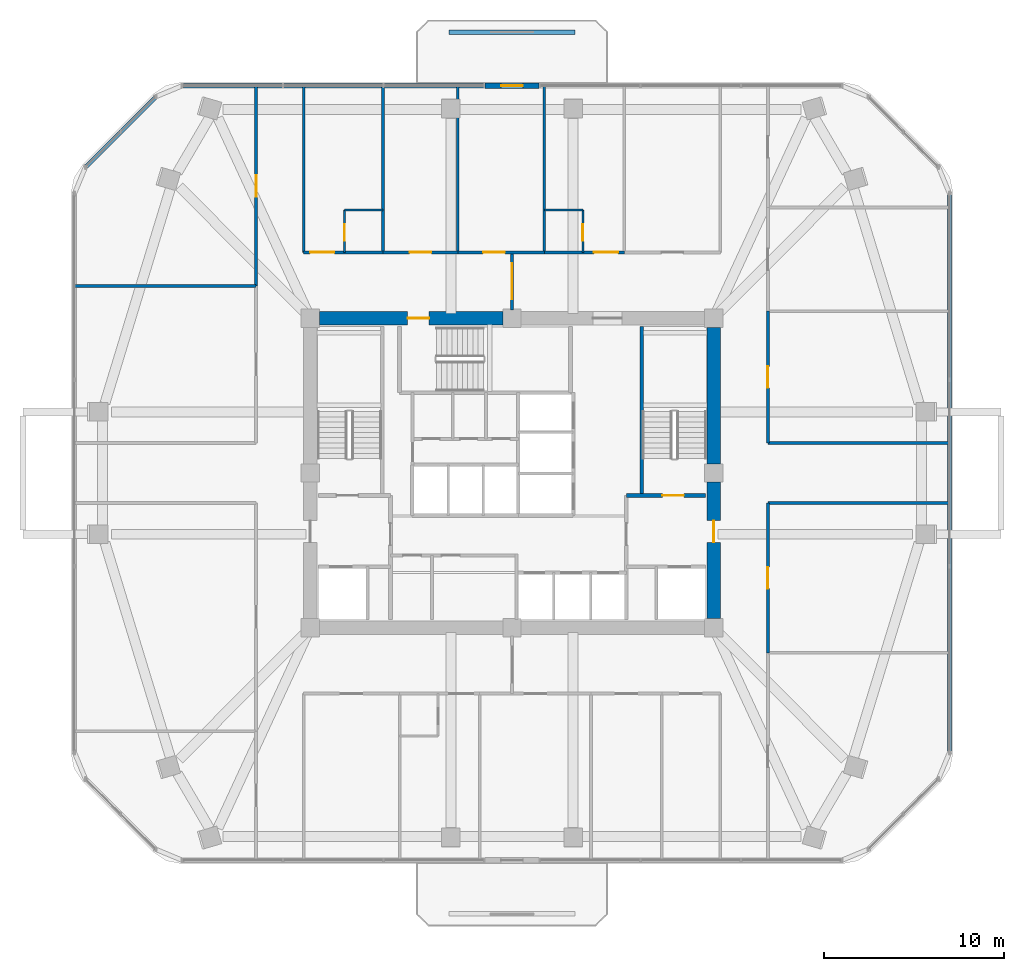
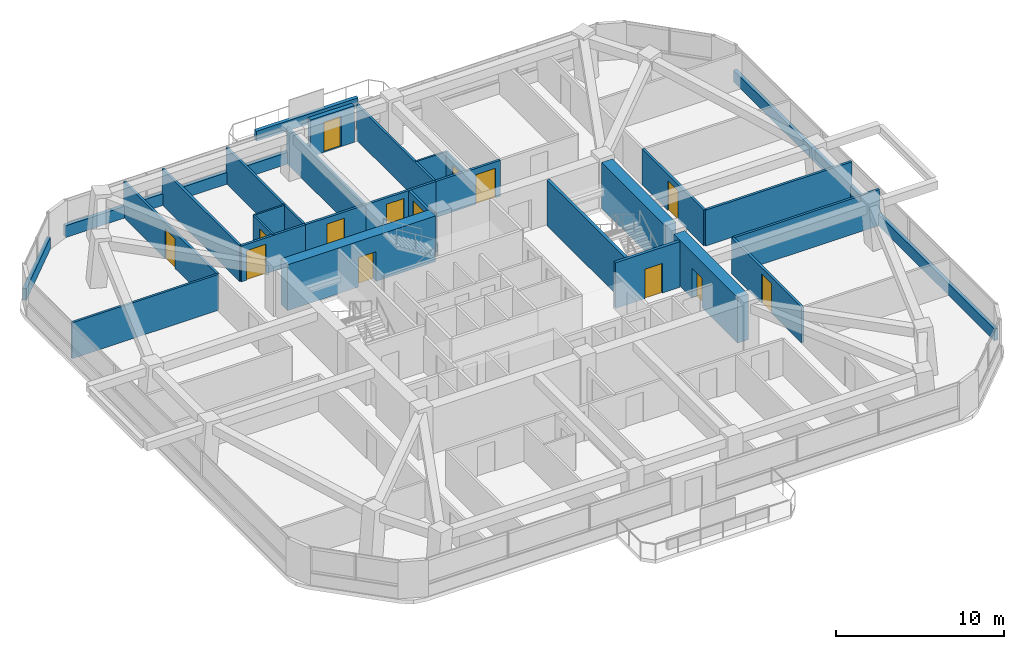
# One storey, part 10 of 13: 29 walls, 14 doors, 14 openings.
"""IFC4 building model written with IfcOpenShell, lengths in metres."""

from ifc_helpers import new_model, si_unit, derived_unit, direction, frame, frame_2d, origin, place, context, subcontext, project, spatial, rectangle, extrude, material, layer, layer_set, type_object, element, fill, save


model = new_model("IFC4")

# Units and contexts
model_context = context("Model", 3, precision=1e-05, world=origin(), true_north=direction((0.0, 1.0)))
body_context = subcontext(model_context, "Body", "Model", "MODEL_VIEW")
ifc_project = project(units=[si_unit("LENGTHUNIT", "METRE"), si_unit("AREAUNIT", "SQUARE_METRE"), si_unit("VOLUMEUNIT", "CUBIC_METRE"), si_unit("PLANEANGLEUNIT", "RADIAN"), si_unit("MASSUNIT", "GRAM", prefix="KILO"), derived_unit("THERMALTRANSMITTANCEUNIT", [(si_unit("POWERUNIT", "WATT"), 1), (si_unit("LENGTHUNIT", "METRE"), -2), (si_unit("THERMODYNAMICTEMPERATUREUNIT", "KELVIN"), -1)])], contexts=[model_context])

# Site, building, storey
site_placement = place(None, origin())
site = spatial("IfcSite", under=ifc_project, at=site_placement, CompositionType="ELEMENT")
building_placement = place(site_placement, origin())
building = spatial("IfcBuilding", under=site, at=building_placement, Name="Koralith Skygarden Medical Center", CompositionType="ELEMENT")
storey_placement = place(building_placement, frame((0.0, 0.0, 117.179931640625)))
storey = spatial("IfcBuildingStorey", under=building, at=storey_placement, Name="L30", CompositionType="ELEMENT", Elevation=117.179931640625)

# Walls
ifc_material_1 = material(Name="Gypsum Board Partition")
ifc_layer_1 = layer(ifc_material_1, 0.14990234375)
ifc_layer_set_1 = layer_set([ifc_layer_1], Name="Gypsum Board Partition")
wall_type_1 = type_object("IfcWallType", Name="Clinical Acoustic Partition 150", PredefinedType="PARTITIONING", material=ifc_layer_set_1)
for number, where, z_axis, x_axis, name in (
    (1, (29.8330078125, 38.159912109375, 0.0), (0.0, 0.0, 1.0), (0.0, 1.0, 0.0), "L30 Clinical Acoustic Partition 150 W-PART-L30-N-01"),
    (2, (33.993896484375, 38.159912109375, 0.0), (0.0, 0.0, 1.0), (0.0, 1.0, 0.0), "L30 Clinical Acoustic Partition 150 W-PART-L30-N-02"),
    (3, (38.800048828125, 38.159912109375, 0.0), (0.0, 0.0, 1.0), (0.0, 1.0, 0.0), "L30 Clinical Acoustic Partition 150 W-PART-L30-N-03"),
):
    element("IfcWall", number, at=place(storey_placement, frame(where, z_axis=z_axis, x_axis=x_axis)), inside=storey, type_object=wall_type_1, Name=name, PredefinedType="PARTITIONING", context=body_context, shape_type="SweptSolid", body=[
        extrude(rectangle(XDim=9.232177734375, YDim=0.14990234375, at=frame_2d((4.6162109375, 0.0))), origin(), (0.0, 0.0, 1.0), 2.610107421875),
    ])
wall_1_placement = place(storey_placement, frame((22.7900390625, 36.285888671875, 0.0), z_axis=(0.0, 0.0, 1.0), x_axis=(-1.0, 0.0, 0.0)))
element("IfcWall", 4, at=wall_1_placement, inside=storey, type_object=wall_type_1, Name="L30 Clinical Acoustic Partition 150 W-PART-L30-WN-01", PredefinedType="PARTITIONING", context=body_context, shape_type="SweptSolid", body=[
    extrude(rectangle(XDim=10.072021484375, YDim=0.14990234375, at=frame_2d((5.0361328125, 0.0))), origin(), (0.0, 0.0, 1.0), 2.610107421875),
])
ifc_layer_2 = layer(ifc_material_1, 0.1650390625)
ifc_layer_set_2 = layer_set([ifc_layer_2], Name="Gypsum Board Partition")
wall_type_2 = type_object("IfcWallType", Name="Clinical Corridor Partition 165", PredefinedType="PARTITIONING", material=ifc_layer_set_2)
wall_2_placement = place(storey_placement, frame((25.429931640625, 38.159912109375, 0.0), z_axis=(0.0, 0.0, 1.0), x_axis=(0.0, 1.0, 0.0)))
element("IfcWall", 5, at=wall_2_placement, inside=storey, type_object=wall_type_2, Name="L30 Clinical Corridor Partition 165 W-HCOR-L30-NW", PredefinedType="PARTITIONING", context=body_context, shape_type="SweptSolid", body=[
    extrude(rectangle(XDim=9.232177734375, YDim=0.1650390625, at=frame_2d((4.6162109375, 0.0))), origin(), (0.0, 0.0, 1.0), 2.610107421875),
])
for number, where, z_axis, x_axis, name in (
    (6, (51.2099609375, 24.239990234375, 0.0), (0.0, 0.0, 1.0), (1.0, 0.0, 0.0), "L30 Clinical Corridor Partition 165 W-HCOR-L30-EWS-E"),
    (7, (51.2099609375, 27.56005859375, 0.0), (0.0, 0.0, 1.0), (1.0, 0.0, 0.0), "L30 Clinical Corridor Partition 165 W-HCOR-L30-EWN-E"),
):
    element("IfcWall", number, at=place(storey_placement, frame(where, z_axis=z_axis, x_axis=x_axis)), inside=storey, type_object=wall_type_2, Name=name, PredefinedType="PARTITIONING", context=body_context, shape_type="SweptSolid", body=[
        extrude(rectangle(XDim=10.072021484375, YDim=0.1650390625, at=frame_2d((5.0361328125, 0.0))), origin(), (0.0, 0.0, 1.0), 2.610107421875),
    ])

# Wall, opening, door
wall_3_placement = place(storey_placement, frame((25.429931640625, 38.159912109375, 0.0), z_axis=(0.0, 0.0, 1.0), x_axis=(1.0, 0.0, 0.0)))
wall_3 = element("IfcWall", 8, at=wall_3_placement, inside=storey, type_object=wall_type_2, Name="L30 Clinical Corridor Partition 165 W-CORR-L30-N-01", PredefinedType="PARTITIONING", context=body_context, shape_type="SweptSolid", body=[
    extrude(rectangle(XDim=4.403076171875, YDim=0.1650390625, at=frame_2d((2.20166015625, 0.0))), origin(), (0.0, 0.0, 1.0), 2.610107421875),
])
opening_1_placement = place(wall_3_placement, frame((0.35009765625, 0.0, 0.0)))
opening_1 = element("IfcOpeningElement", 9, at=opening_1_placement, cuts=wall_3, Name="Opening D-BED", PredefinedType="OPENING", context=body_context, shape_type="SweptSolid", body=[
    extrude(rectangle(XDim=1.35009765625, YDim=2.14990234375, at=frame_2d((0.675048828125, 1.074951171875))), frame((0.0, 0.092529296875, 0.0), z_axis=(0.0, -1.0, 0.0), x_axis=(1.0, 0.0, 0.0)), (0.0, 0.0, 1.0), 0.18505859375),
])
ifc_material_2 = material(Name="Aluminium 6063-T6", Category="aluminium")
door_type_1 = type_object("IfcDoorType", Name="Inpatient Bed Leaf Door D-BED 1350", OperationType="NOTDEFINED", PredefinedType="DOOR", material=ifc_material_2)
door_1_placement = place(opening_1_placement, origin())
door_1 = element("IfcDoor", 10, at=door_1_placement, inside=storey, type_object=door_type_1, Name="L30 Inpatient Bedroom 01 Door", OperationType="SINGLE_SWING_RIGHT", OverallHeight=2.14990234375, OverallWidth=1.35009765625, PredefinedType="DOOR", context=body_context, shape_type="SweptSolid", body=[
    extrude(rectangle(XDim=1.35009765625, YDim=2.14990234375, at=frame_2d((0.675048828125, 1.074951171875))), frame((0.0, 0.02490234375, 0.0), z_axis=(0.0, -1.0, 0.0), x_axis=(1.0, 0.0, 0.0)), (0.0, 0.0, 1.0), 0.050048828125),
])
fill(opening_1, door_1)

wall_4_placement = place(storey_placement, frame((29.8330078125, 38.159912109375, 0.0), z_axis=(0.0, 0.0, 1.0), x_axis=(1.0, 0.0, 0.0)))
wall_4 = element("IfcWall", 11, at=wall_4_placement, inside=storey, type_object=wall_type_2, Name="L30 Clinical Corridor Partition 165 W-CORR-L30-N-02", PredefinedType="PARTITIONING", context=body_context, shape_type="SweptSolid", body=[
    extrude(rectangle(XDim=4.160888671875, YDim=0.1650390625, at=frame_2d((2.08056640625, 0.0))), origin(), (0.0, 0.0, 1.0), 2.610107421875),
])
opening_2_placement = place(wall_4_placement, frame((1.48095703125, 0.0, 0.0)))
opening_2 = element("IfcOpeningElement", 12, at=opening_2_placement, cuts=wall_4, Name="Opening D-CLN", PredefinedType="OPENING", context=body_context, shape_type="SweptSolid", body=[
    extrude(rectangle(XDim=1.199951171875, YDim=2.14990234375, at=frame_2d((0.60009765625, 1.074951171875))), frame((0.0, 0.092529296875, 0.0), z_axis=(0.0, -1.0, 0.0), x_axis=(1.0, 0.0, 0.0)), (0.0, 0.0, 1.0), 0.18505859375),
])
door_type_2 = type_object("IfcDoorType", Name="Clinical Corridor Door D-CLN 1200", OperationType="NOTDEFINED", PredefinedType="DOOR", material=ifc_material_2)
door_2_placement = place(opening_2_placement, origin())
door_2 = element("IfcDoor", 13, at=door_2_placement, inside=storey, type_object=door_type_2, Name="L30 Cardiopulmonary Rehab Gym Hall 02 Door", OperationType="SINGLE_SWING_LEFT", OverallHeight=2.14990234375, OverallWidth=1.199951171875, PredefinedType="DOOR", context=body_context, shape_type="SweptSolid", body=[
    extrude(rectangle(XDim=1.199951171875, YDim=2.14990234375, at=frame_2d((0.60009765625, 1.074951171875))), frame((0.0, 0.02490234375, 0.0), z_axis=(0.0, -1.0, 0.0), x_axis=(1.0, 0.0, 0.0)), (0.0, 0.0, 1.0), 0.050048828125),
])
fill(opening_2, door_2)

wall_5_placement = place(storey_placement, frame((33.993896484375, 38.159912109375, 0.0), z_axis=(0.0, 0.0, 1.0), x_axis=(1.0, 0.0, 0.0)))
wall_5 = element("IfcWall", 14, at=wall_5_placement, inside=storey, type_object=wall_type_2, Name="L30 Clinical Corridor Partition 165 W-CORR-L30-N-03", PredefinedType="PARTITIONING", context=body_context, shape_type="SweptSolid", body=[
    extrude(rectangle(XDim=4.80615234375, YDim=0.1650390625, at=frame_2d((2.403076171875, 0.0))), origin(), (0.0, 0.0, 1.0), 2.610107421875),
])
opening_3_placement = place(wall_5_placement, frame((1.404052734375, 0.0, 0.0)))
opening_3 = element("IfcOpeningElement", 15, at=opening_3_placement, cuts=wall_5, Name="Opening D-CLN", PredefinedType="OPENING", context=body_context, shape_type="SweptSolid", body=[
    extrude(rectangle(XDim=1.199951171875, YDim=2.14990234375, at=frame_2d((0.60009765625, 1.074951171875))), frame((0.0, 0.092529296875, 0.0), z_axis=(0.0, -1.0, 0.0), x_axis=(1.0, 0.0, 0.0)), (0.0, 0.0, 1.0), 0.18505859375),
])
door_3_placement = place(opening_3_placement, origin())
door_3 = element("IfcDoor", 16, at=door_3_placement, inside=storey, type_object=door_type_2, Name="L30 Patient and Family Sky-Garden Day Lounge 03 Door", OperationType="SINGLE_SWING_RIGHT", OverallHeight=2.14990234375, OverallWidth=1.199951171875, PredefinedType="DOOR", context=body_context, shape_type="SweptSolid", body=[
    extrude(rectangle(XDim=1.199951171875, YDim=2.14990234375, at=frame_2d((0.60009765625, 1.074951171875))), frame((0.0, 0.02490234375, 0.0), z_axis=(0.0, -1.0, 0.0), x_axis=(1.0, 0.0, 0.0)), (0.0, 0.0, 1.0), 0.050048828125),
])
fill(opening_3, door_3)

wall_6_placement = place(storey_placement, frame((38.800048828125, 38.159912109375, 0.0), z_axis=(0.0, 0.0, 1.0), x_axis=(1.0, 0.0, 0.0)))
wall_6 = element("IfcWall", 17, at=wall_6_placement, inside=storey, type_object=wall_type_2, Name="L30 Clinical Corridor Partition 165 W-CORR-L30-N-04", PredefinedType="PARTITIONING", context=body_context, shape_type="SweptSolid", body=[
    extrude(rectangle(XDim=4.44189453125, YDim=0.1650390625, at=frame_2d((2.220947265625, 0.0))), origin(), (0.0, 0.0, 1.0), 2.610107421875),
])
opening_4_placement = place(wall_6_placement, frame((2.751953125, 0.0, 0.0)))
opening_4 = element("IfcOpeningElement", 18, at=opening_4_placement, cuts=wall_6, Name="Opening D-BED", PredefinedType="OPENING", context=body_context, shape_type="SweptSolid", body=[
    extrude(rectangle(XDim=1.35009765625, YDim=2.14990234375, at=frame_2d((0.675048828125, 1.074951171875))), frame((0.0, 0.092529296875, 0.0), z_axis=(0.0, -1.0, 0.0), x_axis=(1.0, 0.0, 0.0)), (0.0, 0.0, 1.0), 0.18505859375),
])
door_4_placement = place(opening_4_placement, origin())
door_4 = element("IfcDoor", 19, at=door_4_placement, inside=storey, type_object=door_type_1, Name="L30 Inpatient Bedroom 04 Door", OperationType="SINGLE_SWING_LEFT", OverallHeight=2.14990234375, OverallWidth=1.35009765625, PredefinedType="DOOR", context=body_context, shape_type="SweptSolid", body=[
    extrude(rectangle(XDim=1.35009765625, YDim=2.14990234375, at=frame_2d((0.675048828125, 1.074951171875))), frame((0.0, 0.02490234375, 0.0), z_axis=(0.0, -1.0, 0.0), x_axis=(1.0, 0.0, 0.0)), (0.0, 0.0, 1.0), 0.050048828125),
])
fill(opening_4, door_4)

wall_7_placement = place(storey_placement, frame((22.7900390625, 36.285888671875, 0.0), z_axis=(0.0, 0.0, 1.0), x_axis=(0.0, 1.0, 0.0)))
wall_7 = element("IfcWall", 20, at=wall_7_placement, inside=storey, type_object=wall_type_2, Name="L30 Clinical Corridor Partition 165 W-CORR-L30-WN-02", PredefinedType="PARTITIONING", context=body_context, shape_type="SweptSolid", body=[
    extrude(rectangle(XDim=11.106201171875, YDim=0.1650390625, at=frame_2d((5.55322265625, 0.0))), origin(), (0.0, 0.0, 1.0), 2.610107421875),
])
opening_5_placement = place(wall_7_placement, frame((4.952880859375, 0.0, 0.0)))
opening_5 = element("IfcOpeningElement", 21, at=opening_5_placement, cuts=wall_7, Name="Opening D-CLN", PredefinedType="OPENING", context=body_context, shape_type="SweptSolid", body=[
    extrude(rectangle(XDim=1.199951171875, YDim=2.14990234375, at=frame_2d((0.60009765625, 1.074951171875))), frame((0.0, 0.092529296875, 0.0), z_axis=(0.0, -1.0, 0.0), x_axis=(1.0, 0.0, 0.0)), (0.0, 0.0, 1.0), 0.18505859375),
])
door_5_placement = place(opening_5_placement, frame((1.199951171875, 0.0, 0.0), z_axis=(0.0, 0.0, 1.0), x_axis=(-1.0, 0.0, 0.0)))
door_5 = element("IfcDoor", 22, at=door_5_placement, inside=storey, type_object=door_type_2, Name="L30 Cardiopulmonary Rehab Gym Hall 14 Door", OperationType="SINGLE_SWING_LEFT", OverallHeight=2.14990234375, OverallWidth=1.199951171875, PredefinedType="DOOR", context=body_context, shape_type="SweptSolid", body=[
    extrude(rectangle(XDim=1.199951171875, YDim=2.14990234375, at=frame_2d((0.60009765625, 1.074951171875))), frame((0.0, 0.02490234375, 0.0), z_axis=(0.0, -1.0, 0.0), x_axis=(1.0, 0.0, 0.0)), (0.0, 0.0, 1.0), 0.050048828125),
])
fill(opening_5, door_5)

wall_8_placement = place(storey_placement, frame((51.2099609375, 15.910888671875, 0.0), z_axis=(0.0, 0.0, 1.0), x_axis=(0.0, 1.0, 0.0)))
wall_8 = element("IfcWall", 23, at=wall_8_placement, inside=storey, type_object=wall_type_2, Name="L30 Clinical Corridor Partition 165 W-CORR-L30-ES-02", PredefinedType="PARTITIONING", context=body_context, shape_type="SweptSolid", body=[
    extrude(rectangle(XDim=8.3291015625, YDim=0.1650390625, at=frame_2d((4.16455078125, 0.0))), origin(), (0.0, 0.0, 1.0), 2.610107421875),
])
opening_6_placement = place(wall_8_placement, frame((3.56396484375, 0.0, 0.0)))
opening_6 = element("IfcOpeningElement", 24, at=opening_6_placement, cuts=wall_8, Name="Opening D-CLN", PredefinedType="OPENING", context=body_context, shape_type="SweptSolid", body=[
    extrude(rectangle(XDim=1.199951171875, YDim=2.14990234375, at=frame_2d((0.60009765625, 1.074951171875))), frame((0.0, 0.092529296875, 0.0), z_axis=(0.0, -1.0, 0.0), x_axis=(1.0, 0.0, 0.0)), (0.0, 0.0, 1.0), 0.18505859375),
])
door_6_placement = place(opening_6_placement, origin())
door_6 = element("IfcDoor", 25, at=door_6_placement, inside=storey, type_object=door_type_2, Name="L30 Exercise Physiologist Office 16 Door", OperationType="SINGLE_SWING_LEFT", OverallHeight=2.14990234375, OverallWidth=1.199951171875, PredefinedType="DOOR", context=body_context, shape_type="SweptSolid", body=[
    extrude(rectangle(XDim=1.199951171875, YDim=2.14990234375, at=frame_2d((0.60009765625, 1.074951171875))), frame((0.0, 0.02490234375, 0.0), z_axis=(0.0, -1.0, 0.0), x_axis=(1.0, 0.0, 0.0)), (0.0, 0.0, 1.0), 0.050048828125),
])
fill(opening_6, door_6)

wall_9_placement = place(storey_placement, frame((51.2099609375, 27.56005859375, 0.0), z_axis=(0.0, 0.0, 1.0), x_axis=(0.0, 1.0, 0.0)))
wall_9 = element("IfcWall", 26, at=wall_9_placement, inside=storey, type_object=wall_type_2, Name="L30 Clinical Corridor Partition 165 W-CORR-L30-EN-01", PredefinedType="PARTITIONING", context=body_context, shape_type="SweptSolid", body=[
    extrude(rectangle(XDim=7.329833984375, YDim=0.1650390625, at=frame_2d((3.6650390625, 0.0))), origin(), (0.0, 0.0, 1.0), 2.610107421875),
])
opening_7_placement = place(wall_9_placement, frame((3.06494140625, 0.0, 0.0)))
opening_7 = element("IfcOpeningElement", 27, at=opening_7_placement, cuts=wall_9, Name="Opening D-CLN", PredefinedType="OPENING", context=body_context, shape_type="SweptSolid", body=[
    extrude(rectangle(XDim=1.199951171875, YDim=2.14990234375, at=frame_2d((0.60009765625, 1.074951171875))), frame((0.0, 0.092529296875, 0.0), z_axis=(0.0, -1.0, 0.0), x_axis=(1.0, 0.0, 0.0)), (0.0, 0.0, 1.0), 0.18505859375),
])
door_7_placement = place(opening_7_placement, origin())
door_7 = element("IfcDoor", 28, at=door_7_placement, inside=storey, type_object=door_type_2, Name="L30 Clinical Consultation Office 17 Door", OperationType="SINGLE_SWING_RIGHT", OverallHeight=2.14990234375, OverallWidth=1.199951171875, PredefinedType="DOOR", context=body_context, shape_type="SweptSolid", body=[
    extrude(rectangle(XDim=1.199951171875, YDim=2.14990234375, at=frame_2d((0.60009765625, 1.074951171875))), frame((0.0, 0.02490234375, 0.0), z_axis=(0.0, -1.0, 0.0), x_axis=(1.0, 0.0, 0.0)), (0.0, 0.0, 1.0), 0.050048828125),
])
fill(opening_7, door_7)

ifc_layer_3 = layer(ifc_material_1, 0.179931640625)
ifc_layer_set_3 = layer_set([ifc_layer_3], Name="Gypsum Board Partition")
wall_type_3 = type_object("IfcWallType", Name="Group I-2 Smoke Barrier Wall 180", PredefinedType="PARTITIONING", material=ifc_layer_set_3)
wall_10_placement = place(storey_placement, frame((37.0, 34.949951171875, 0.0), z_axis=(0.0, 0.0, 1.0), x_axis=(0.0, 1.0, 0.0)))
wall_10 = element("IfcWall", 29, at=wall_10_placement, inside=storey, type_object=wall_type_3, Name="L30 Group I-2 Smoke Barrier Wall 180 W-SMK-L30-N", PredefinedType="PARTITIONING", context=body_context, shape_type="SweptSolid", body=[
    extrude(rectangle(XDim=3.2099609375, YDim=0.179931640625, at=frame_2d((1.60498046875, 0.0))), origin(), (0.0, 0.0, 1.0), 2.610107421875),
])
opening_8_placement = place(wall_10_placement, frame((0.60498046875, 0.0, 0.0)))
opening_8 = element("IfcOpeningElement", 30, at=opening_8_placement, cuts=wall_10, Name="Opening D-SMK", PredefinedType="OPENING", context=body_context, shape_type="SweptSolid", body=[
    extrude(rectangle(XDim=2.0, YDim=2.199951171875, at=frame_2d((1.0, 1.10009765625))), frame((0.0, 0.099853515625, 0.0), z_axis=(0.0, -1.0, 0.0), x_axis=(1.0, 0.0, 0.0)), (0.0, 0.0, 1.0), 0.199951171875),
])
ifc_material_3 = material(Name="Steel ASTM A500 Grade C", Category="steel")
door_type_3 = type_object("IfcDoorType", Name="Cross-Corridor Double Smoke Door FD60S 2000", OperationType="NOTDEFINED", PredefinedType="DOOR", material=ifc_material_3)
door_8_placement = place(opening_8_placement, origin())
door_8 = element("IfcDoor", 31, at=door_8_placement, inside=storey, type_object=door_type_3, Name="L30 N Smoke Compartment Cross-Corridor Door", OperationType="DOUBLE_DOOR_SINGLE_SWING", OverallHeight=2.199951171875, OverallWidth=2.0, PredefinedType="DOOR", context=body_context, shape_type="SweptSolid", body=[
    extrude(rectangle(XDim=2.0, YDim=2.199951171875, at=frame_2d((1.0, 1.10009765625))), frame((0.0, 0.02490234375, 0.0), z_axis=(0.0, -1.0, 0.0), x_axis=(1.0, 0.0, 0.0)), (0.0, 0.0, 1.0), 0.050048828125),
])
fill(opening_8, door_8)

# Walls
ifc_material_4 = material(Name="Warm Oolitic Limestone Cladding", Category="masonry")
ifc_layer_4 = layer(ifc_material_4, 0.239990234375)
ifc_layer_set_4 = layer_set([ifc_layer_4], Name="Warm Oolitic Limestone Cladding")
wall_type_4 = type_object("IfcWallType", Name="Limestone Spandrel Sill Backup Wall 240", PredefinedType="SOLIDWALL", material=ifc_layer_set_4)
wall_11_placement = place(storey_placement, frame((61.302001953125, 10.363037109375, 0.0), z_axis=(0.0, 0.0, 1.0), x_axis=(0.0, 1.0, 0.0)))
element("IfcWall", 32, at=wall_11_placement, inside=storey, type_object=wall_type_4, Name="L30 Sill Spandrel E", PredefinedType="SOLIDWALL", context=body_context, shape_type="SweptSolid", body=[
    extrude(rectangle(XDim=31.073974609375, YDim=0.239990234375, at=frame_2d((15.537109375, 0.0))), origin(), (0.0, 0.0, 1.0), 0.85009765625),
])
wall_12_placement = place(storey_placement, frame((35.4599609375, 47.412109375, 0.0), z_axis=(0.0, 0.0, 1.0), x_axis=(-1.0, 0.0, 0.0)))
element("IfcWall", 33, at=wall_12_placement, inside=storey, type_object=wall_type_4, Name="L30 Sill Spandrel N-R", PredefinedType="SOLIDWALL", context=body_context, shape_type="SweptSolid", body=[
    extrude(rectangle(XDim=16.785888671875, YDim=0.239990234375, at=frame_2d((8.39306640625, 0.0))), origin(), (0.0, 0.0, 1.0), 0.85009765625),
])
wall_13_placement = place(storey_placement, frame((17.222900390625, 46.81103515625, 0.0), z_axis=(0.0, 0.0, 1.0), x_axis=(-0.707084777957, -0.707128783731, 0.0)))
element("IfcWall", 34, at=wall_13_placement, inside=storey, type_object=wall_type_4, Name="L30 Sill Spandrel NW", PredefinedType="SOLIDWALL", context=body_context, shape_type="SweptSolid", body=[
    extrude(rectangle(XDim=5.5478515625, YDim=0.239990234375, at=frame_2d((2.77392578125, 0.0))), origin(), (0.0, 0.0, 1.0), 0.85009765625),
])

# Wall, opening, door
ifc_material_5 = material(Name="Concrete C70/85", Category="concrete")
ifc_layer_5 = layer(ifc_material_5, 0.75)
ifc_layer_set_5 = layer_set([ifc_layer_5], Name="Concrete C70/85")
wall_type_5 = type_object("IfcWallType", Name="Mid Core Shear Wall 750", PredefinedType="SHEAR", material=ifc_layer_set_5)
wall_14_placement = place(storey_placement, frame((48.199951171875, 17.804931640625, 0.0), z_axis=(0.0, 0.0, 1.0), x_axis=(0.0, 1.0, 0.0)))
wall_14 = element("IfcWall", 35, at=wall_14_placement, inside=storey, type_object=wall_type_5, Name="L30 Core Shear Wall Segment 3", PredefinedType="SHEAR", context=body_context, shape_type="SweptSolid", body=[
    extrude(rectangle(XDim=7.590087890625, YDim=0.75, at=frame_2d((3.794921875, 0.0))), origin(), (0.0, 0.0, 1.0), 3.320068359375),
])
opening_9_placement = place(wall_14_placement, frame((4.2451171875, 0.0, 0.0)))
opening_9 = element("IfcOpeningElement", 36, at=opening_9_placement, cuts=wall_14, Name="Opening D-ST60", PredefinedType="OPENING", context=body_context, shape_type="SweptSolid", body=[
    extrude(rectangle(XDim=1.199951171875, YDim=2.14990234375, at=frame_2d((0.60009765625, 1.074951171875))), frame((0.0, 0.385009765625, 0.0), z_axis=(0.0, -1.0, 0.0), x_axis=(1.0, 0.0, 0.0)), (0.0, 0.0, 1.0), 0.77001953125),
])
door_type_4 = type_object("IfcDoorType", Name="Smokeproof Stair Fire Door FD60S 1200", OperationType="NOTDEFINED", PredefinedType="DOOR", material=ifc_material_3)
door_9_placement = place(opening_9_placement, frame((1.199951171875, 0.0, 0.0), z_axis=(0.0, 0.0, 1.0), x_axis=(-1.0, 0.0, 0.0)))
door_9 = element("IfcDoor", 37, at=door_9_placement, inside=storey, type_object=door_type_4, Name="L30 East Corridor to Firefighting Lobby Door", OperationType="SINGLE_SWING_RIGHT", OverallHeight=2.14990234375, OverallWidth=1.199951171875, PredefinedType="DOOR", context=body_context, shape_type="SweptSolid", body=[
    extrude(rectangle(XDim=1.199951171875, YDim=2.14990234375, at=frame_2d((0.60009765625, 1.074951171875))), frame((0.0, 0.02490234375, 0.0), z_axis=(0.0, -1.0, 0.0), x_axis=(1.0, 0.0, 0.0)), (0.0, 0.0, 1.0), 0.050048828125),
])
fill(opening_9, door_9)

# Wall
wall_15_placement = place(storey_placement, frame((48.199951171875, 26.405029296875, 0.0), z_axis=(0.0, 0.0, 1.0), x_axis=(0.0, 1.0, 0.0)))
element("IfcWall", 38, at=wall_15_placement, inside=storey, type_object=wall_type_5, Name="L30 Core Shear Wall Segment 4", PredefinedType="SHEAR", context=body_context, shape_type="SweptSolid", body=[
    extrude(rectangle(XDim=7.590087890625, YDim=0.75, at=frame_2d((3.794921875, 0.0))), origin(), (0.0, 0.0, 1.0), 3.320068359375),
])

# Wall, opening, door
wall_16_placement = place(storey_placement, frame((36.4951171875, 34.5, 0.0), z_axis=(0.0, 0.0, 1.0), x_axis=(-1.0, 0.0, 0.0)))
wall_16 = element("IfcWall", 39, at=wall_16_placement, inside=storey, type_object=wall_type_5, Name="L30 Core Shear Wall Segment 6", PredefinedType="SHEAR", context=body_context, shape_type="SweptSolid", body=[
    extrude(rectangle(XDim=10.190185546875, YDim=0.75, at=frame_2d((5.09521484375, 0.0))), origin(), (0.0, 0.0, 1.0), 3.320068359375),
])
opening_10_placement = place(wall_16_placement, frame((4.094970703125, 0.0, 0.0)))
opening_10 = element("IfcOpeningElement", 40, at=opening_10_placement, cuts=wall_16, Name="Opening D-ST60", PredefinedType="OPENING", context=body_context, shape_type="SweptSolid", body=[
    extrude(rectangle(XDim=1.199951171875, YDim=2.14990234375, at=frame_2d((0.60009765625, 1.074951171875))), frame((0.0, 0.385009765625, 0.0), z_axis=(0.0, -1.0, 0.0), x_axis=(1.0, 0.0, 0.0)), (0.0, 0.0, 1.0), 0.77001953125),
])
door_10_placement = place(opening_10_placement, frame((1.199951171875, 0.0, 0.0), z_axis=(0.0, 0.0, 1.0), x_axis=(-1.0, 0.0, 0.0)))
door_10 = element("IfcDoor", 41, at=door_10_placement, inside=storey, type_object=door_type_4, Name="L30 Exit Stair ST3 Fire Door", OperationType="SINGLE_SWING_LEFT", OverallHeight=2.14990234375, OverallWidth=1.199951171875, PredefinedType="DOOR", context=body_context, shape_type="SweptSolid", body=[
    extrude(rectangle(XDim=1.199951171875, YDim=2.14990234375, at=frame_2d((0.60009765625, 1.074951171875))), frame((0.0, 0.02490234375, 0.0), z_axis=(0.0, -1.0, 0.0), x_axis=(1.0, 0.0, 0.0)), (0.0, 0.0, 1.0), 0.050048828125),
])
fill(opening_10, door_10)

ifc_layer_6 = layer(ifc_material_4, 0.300048828125)
ifc_layer_set_6 = layer_set([ifc_layer_6], Name="Warm Oolitic Limestone Cladding")
wall_type_6 = type_object("IfcWallType", Name="Oolitic Limestone Insulated Facade Wall 300", PredefinedType="SOLIDWALL", material=ifc_layer_set_6)
wall_17_placement = place(storey_placement, frame((38.5, 47.412109375, 0.0), z_axis=(0.0, 0.0, 1.0), x_axis=(-1.0, 0.0, 0.0)))
wall_17 = element("IfcWall", 42, at=wall_17_placement, inside=storey, type_object=wall_type_6, Name="L30 Terrace Portal Wall N", PredefinedType="SOLIDWALL", context=body_context, shape_type="SweptSolid", body=[
    extrude(rectangle(XDim=3.0, YDim=0.300048828125, at=frame_2d((1.5, 0.0))), origin(), (0.0, 0.0, 1.0), 2.670166015625),
])
opening_11_placement = place(wall_17_placement, frame((0.89990234375, 0.0, 0.0)))
opening_11 = element("IfcOpeningElement", 43, at=opening_11_placement, cuts=wall_17, Name="Opening D-BAL", PredefinedType="OPENING", context=body_context, shape_type="SweptSolid", body=[
    extrude(rectangle(XDim=1.199951171875, YDim=2.199951171875, at=frame_2d((0.60009765625, 1.10009765625))), frame((0.0, 0.159912109375, 0.0), z_axis=(0.0, -1.0, 0.0), x_axis=(1.0, 0.0, 0.0)), (0.0, 0.0, 1.0), 0.320068359375),
])
door_type_5 = type_object("IfcDoorType", Name="Planted Balcony Glazed Terrace Door D-BAL 1200", OperationType="NOTDEFINED", PredefinedType="DOOR", material=ifc_material_2)
door_11_placement = place(opening_11_placement, origin())
door_11 = element("IfcDoor", 44, at=door_11_placement, inside=storey, type_object=door_type_5, Name="L30 N Outdoor Terrace Access Door", OperationType="SINGLE_SWING_LEFT", OverallHeight=2.199951171875, OverallWidth=1.199951171875, PredefinedType="DOOR", context=body_context, shape_type="SweptSolid", body=[
    extrude(rectangle(XDim=1.199951171875, YDim=2.199951171875, at=frame_2d((0.60009765625, 1.10009765625))), frame((0.0, 0.02490234375, 0.0), z_axis=(0.0, -1.0, 0.0), x_axis=(1.0, 0.0, 0.0)), (0.0, 0.0, 1.0), 0.050048828125),
])
fill(opening_11, door_11)

ifc_layer_7 = layer(ifc_material_1, 0.1201171875)
ifc_layer_set_7 = layer_set([ifc_layer_7], Name="Gypsum Board Partition")
wall_type_7 = type_object("IfcWallType", Name="Plumbing Wet Wall 120", PredefinedType="PLUMBINGWALL", material=ifc_layer_set_7)
wall_18_placement = place(storey_placement, frame((27.693115234375, 38.159912109375, 0.0), z_axis=(0.0, 0.0, 1.0), x_axis=(0.0, 1.0, 0.0)))
wall_18 = element("IfcWall", 45, at=wall_18_placement, inside=storey, type_object=wall_type_7, Name="L30 Plumbing Wet Wall 120 W-ENS-L30-01A", PredefinedType="PLUMBINGWALL", context=body_context, shape_type="SweptSolid", body=[
    extrude(rectangle(XDim=2.360107421875, YDim=0.1201171875, at=frame_2d((1.18017578125, 0.0))), origin(), (0.0, 0.0, 1.0), 2.610107421875),
])
opening_12_placement = place(wall_18_placement, frame((0.64990234375, 0.0, 0.0)))
opening_12 = element("IfcOpeningElement", 46, at=opening_12_placement, cuts=wall_18, Name="Opening D-ENS", PredefinedType="OPENING", context=body_context, shape_type="SweptSolid", body=[
    extrude(rectangle(XDim=0.89990234375, YDim=2.10009765625, at=frame_2d((0.449951171875, 1.050048828125))), frame((0.0, 0.070068359375, 0.0), z_axis=(0.0, -1.0, 0.0), x_axis=(1.0, 0.0, 0.0)), (0.0, 0.0, 1.0), 0.14013671875),
])
door_type_6 = type_object("IfcDoorType", Name="En-Suite Bathroom Door D-ENS 900", OperationType="NOTDEFINED", PredefinedType="DOOR", material=ifc_material_2)
door_12_placement = place(opening_12_placement, origin())
door_12 = element("IfcDoor", 47, at=door_12_placement, inside=storey, type_object=door_type_6, Name="L30 En-Suite 01 Door", OperationType="SINGLE_SWING_RIGHT", OverallHeight=2.10009765625, OverallWidth=0.89990234375, PredefinedType="DOOR", context=body_context, shape_type="SweptSolid", body=[
    extrude(rectangle(XDim=0.89990234375, YDim=2.10009765625, at=frame_2d((0.449951171875, 1.050048828125))), frame((0.0, 0.02490234375, 0.0), z_axis=(0.0, -1.0, 0.0), x_axis=(1.0, 0.0, 0.0)), (0.0, 0.0, 1.0), 0.050048828125),
])
fill(opening_12, door_12)

# Wall
wall_19_placement = place(storey_placement, frame((27.693115234375, 40.52001953125, 0.0), z_axis=(0.0, 0.0, 1.0), x_axis=(1.0, 0.0, 0.0)))
element("IfcWall", 48, at=wall_19_placement, inside=storey, type_object=wall_type_7, Name="L30 Plumbing Wet Wall 120 W-ENS-L30-01B", PredefinedType="PLUMBINGWALL", context=body_context, shape_type="SweptSolid", body=[
    extrude(rectangle(XDim=2.139892578125, YDim=0.1201171875, at=frame_2d((1.06982421875, 0.0))), origin(), (0.0, 0.0, 1.0), 2.610107421875),
])

# Wall, opening, door
wall_20_placement = place(storey_placement, frame((40.93994140625, 38.159912109375, 0.0), z_axis=(0.0, 0.0, 1.0), x_axis=(0.0, 1.0, 0.0)))
wall_20 = element("IfcWall", 49, at=wall_20_placement, inside=storey, type_object=wall_type_7, Name="L30 Plumbing Wet Wall 120 W-ENS-L30-04A", PredefinedType="PLUMBINGWALL", context=body_context, shape_type="SweptSolid", body=[
    extrude(rectangle(XDim=2.360107421875, YDim=0.1201171875, at=frame_2d((1.18017578125, 0.0))), origin(), (0.0, 0.0, 1.0), 2.610107421875),
])
opening_13_placement = place(wall_20_placement, frame((0.64990234375, 0.0, 0.0)))
opening_13 = element("IfcOpeningElement", 50, at=opening_13_placement, cuts=wall_20, Name="Opening D-ENS", PredefinedType="OPENING", context=body_context, shape_type="SweptSolid", body=[
    extrude(rectangle(XDim=0.89990234375, YDim=2.10009765625, at=frame_2d((0.449951171875, 1.050048828125))), frame((0.0, 0.070068359375, 0.0), z_axis=(0.0, -1.0, 0.0), x_axis=(1.0, 0.0, 0.0)), (0.0, 0.0, 1.0), 0.14013671875),
])
door_13_placement = place(opening_13_placement, frame((0.89990234375, 0.0, 0.0), z_axis=(0.0, 0.0, 1.0), x_axis=(-1.0, 0.0, 0.0)))
door_13 = element("IfcDoor", 51, at=door_13_placement, inside=storey, type_object=door_type_6, Name="L30 En-Suite 04 Door", OperationType="SINGLE_SWING_LEFT", OverallHeight=2.10009765625, OverallWidth=0.89990234375, PredefinedType="DOOR", context=body_context, shape_type="SweptSolid", body=[
    extrude(rectangle(XDim=0.89990234375, YDim=2.10009765625, at=frame_2d((0.449951171875, 1.050048828125))), frame((0.0, 0.02490234375, 0.0), z_axis=(0.0, -1.0, 0.0), x_axis=(1.0, 0.0, 0.0)), (0.0, 0.0, 1.0), 0.050048828125),
])
fill(opening_13, door_13)

# Walls
wall_21_placement = place(storey_placement, frame((38.800048828125, 40.52001953125, 0.0), z_axis=(0.0, 0.0, 1.0), x_axis=(1.0, 0.0, 0.0)))
element("IfcWall", 52, at=wall_21_placement, inside=storey, type_object=wall_type_7, Name="L30 Plumbing Wet Wall 120 W-ENS-L30-04B", PredefinedType="PLUMBINGWALL", context=body_context, shape_type="SweptSolid", body=[
    extrude(rectangle(XDim=2.139892578125, YDim=0.1201171875, at=frame_2d((1.06982421875, 0.0))), origin(), (0.0, 0.0, 1.0), 2.610107421875),
])
ifc_material_6 = material(Name="Precast concrete C40/50", Category="concrete")
ifc_layer_8 = layer(ifc_material_6, 0.25)
ifc_layer_set_8 = layer_set([ifc_layer_8], Name="Precast concrete C40/50")
wall_type_8 = type_object("IfcWallType", Name="Structural Concrete Balcony Planter Kerb 250", PredefinedType="PARAPET", material=ifc_layer_set_8)
wall_22_placement = place(storey_placement, frame((33.5, 50.39208984375, 0.0), z_axis=(0.0, 0.0, 1.0), x_axis=(1.0, 0.0, 0.0)))
element("IfcWall", 53, at=wall_22_placement, inside=storey, type_object=wall_type_8, Name="L30 N Structural Tree PLANTER Box", PredefinedType="PARAPET", context=body_context, shape_type="SweptSolid", body=[
    extrude(rectangle(XDim=7.0, YDim=0.25, at=frame_2d((3.5, 0.0))), origin(), (0.0, 0.0, 1.0), 0.719970703125),
])
ifc_material_7 = material(Name="Concrete C45/55", Category="concrete")
ifc_layer_9 = layer(ifc_material_7, 0.199951171875)
ifc_layer_set_9 = layer_set([ifc_layer_9], Name="Concrete C45/55")
wall_type_9 = type_object("IfcWallType", Name="Structural Stair Shaft Wall 200", PredefinedType="SHEAR", material=ifc_layer_set_9)
wall_23_placement = place(storey_placement, frame((44.199951171875, 24.64990234375, 0.0), z_axis=(0.0, 0.0, 1.0), x_axis=(0.0, 1.0, 0.0)))
element("IfcWall", 54, at=wall_23_placement, inside=storey, type_object=wall_type_9, Name="L30 Structural Stair Shaft Wall 200 W-CORE-L30-ST2-W", PredefinedType="SHEAR", context=body_context, shape_type="SweptSolid", body=[
    extrude(rectangle(XDim=9.400146484375, YDim=0.199951171875, at=frame_2d((4.7001953125, 0.0))), origin(), (0.0, 0.0, 1.0), 3.320068359375),
])

# Wall, opening, door
wall_24_placement = place(storey_placement, frame((43.35009765625, 24.64990234375, 0.0), z_axis=(0.0, 0.0, 1.0), x_axis=(1.0, 0.0, 0.0)))
wall_24 = element("IfcWall", 55, at=wall_24_placement, inside=storey, type_object=wall_type_9, Name="L30 Structural Stair Shaft Wall 200 W-CORE-L30-ST2-S", PredefinedType="SHEAR", context=body_context, shape_type="SweptSolid", body=[
    extrude(rectangle(XDim=4.39990234375, YDim=0.199951171875, at=frame_2d((2.199951171875, 0.0))), origin(), (0.0, 0.0, 1.0), 3.320068359375),
])
opening_14_placement = place(wall_24_placement, frame((2.0, 0.0, 0.0)))
opening_14 = element("IfcOpeningElement", 56, at=opening_14_placement, cuts=wall_24, Name="Opening D-ST60", PredefinedType="OPENING", context=body_context, shape_type="SweptSolid", body=[
    extrude(rectangle(XDim=1.199951171875, YDim=2.14990234375, at=frame_2d((0.60009765625, 1.074951171875))), frame((0.0, 0.10986328125, 0.0), z_axis=(0.0, -1.0, 0.0), x_axis=(1.0, 0.0, 0.0)), (0.0, 0.0, 1.0), 0.219970703125),
])
door_14_placement = place(opening_14_placement, origin())
door_14 = element("IfcDoor", 57, at=door_14_placement, inside=storey, type_object=door_type_4, Name="L30 Exit Stair ST2 Fire Door", OperationType="SINGLE_SWING_RIGHT", OverallHeight=2.14990234375, OverallWidth=1.199951171875, PredefinedType="DOOR", context=body_context, shape_type="SweptSolid", body=[
    extrude(rectangle(XDim=1.199951171875, YDim=2.14990234375, at=frame_2d((0.60009765625, 1.074951171875))), frame((0.0, 0.02490234375, 0.0), z_axis=(0.0, -1.0, 0.0), x_axis=(1.0, 0.0, 0.0)), (0.0, 0.0, 1.0), 0.050048828125),
])
fill(opening_14, door_14)

save(model, "model.ifc")
